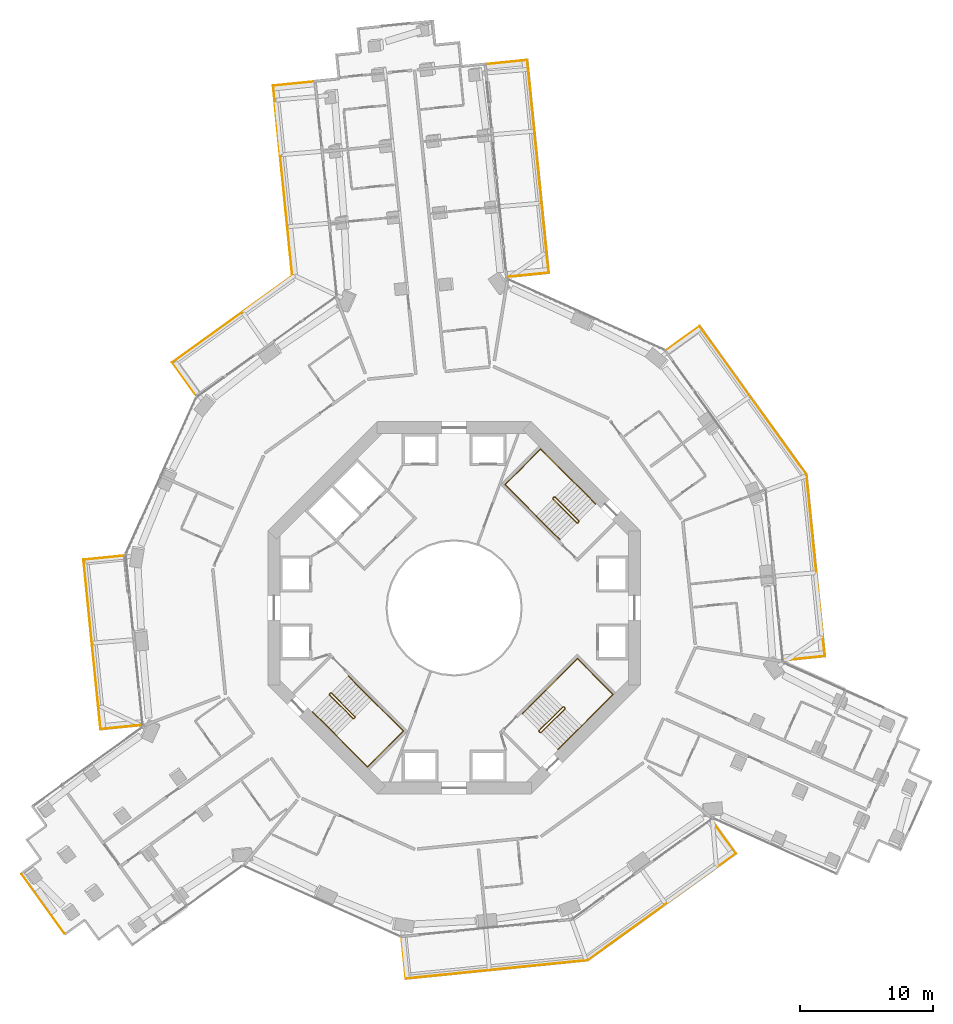
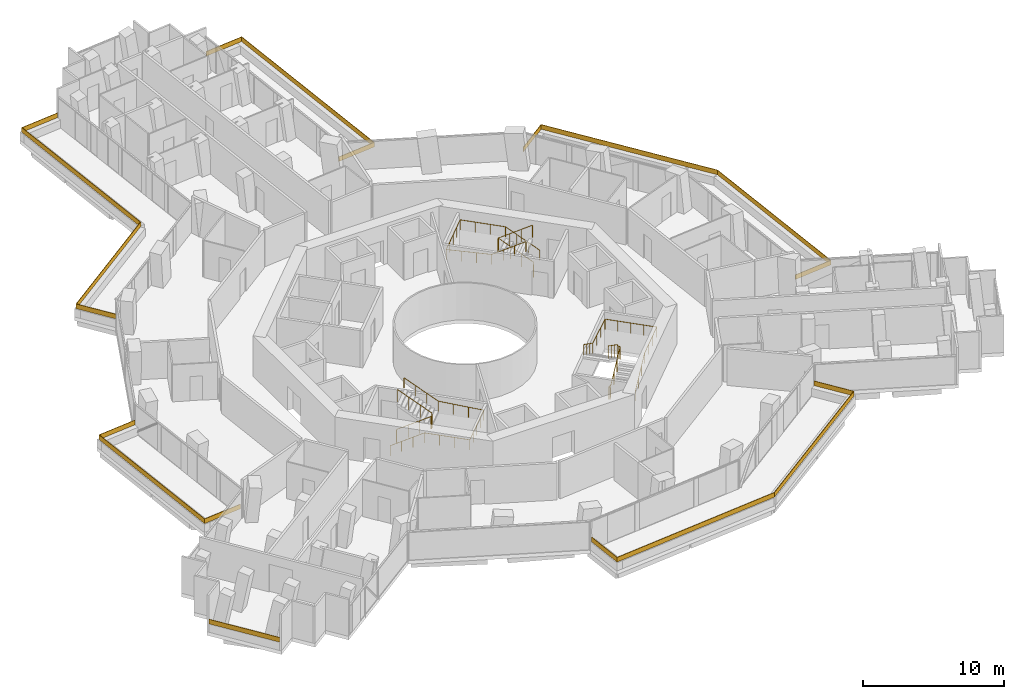
# One storey, part 26 of 26: 12 railings.
"""IFC4 building model written with IfcOpenShell, lengths in metres."""

from ifc_helpers import new_model, si_unit, direction, frame, origin, origin_2d, place, context, subcontext, project, spatial, polyline, rectangle, circle, outline, extrude, material, layer, layer_set, type_object, element, save


model = new_model("IFC4")

# Units and contexts
model_context = context("Model", 3, precision=1e-05, world=origin(), true_north=direction((0.0, 1.0)))
body_context = subcontext(model_context, "Body", "Model", "MODEL_VIEW")
ifc_project = project(units=[si_unit("LENGTHUNIT", "METRE"), si_unit("AREAUNIT", "SQUARE_METRE"), si_unit("VOLUMEUNIT", "CUBIC_METRE"), si_unit("PLANEANGLEUNIT", "RADIAN"), si_unit("MASSUNIT", "GRAM", prefix="KILO")], contexts=[model_context])

# Site, building, storey
site_placement = place(None, origin())
site = spatial("IfcSite", under=ifc_project, at=site_placement, CompositionType="ELEMENT")
building_placement = place(site_placement, origin())
building = spatial("IfcBuilding", under=site, at=building_placement, Name="Verdalira Terraces Hotel", CompositionType="ELEMENT")
storey_placement = place(building_placement, frame((0.0, 0.0, 56.5)))
storey = spatial("IfcBuildingStorey", under=building, at=storey_placement, Name="L12", CompositionType="ELEMENT", Elevation=56.5)

# Railings
ifc_material_1 = material(Name="Laminated glass", Category="glass")
ifc_layer = layer(ifc_material_1, 0.0400390625)
ifc_layer_set = layer_set([ifc_layer], Name="Balcony glass guard 400")
railing_type_1 = type_object("IfcRailingType", Name="Balcony glass guard 400", PredefinedType="GUARDRAIL", material=ifc_layer_set)
railing_1_placement = place(storey_placement, frame((0.0, 0.0, 0.699951)))
element("IfcRailing", 1, at=railing_1_placement, inside=storey, type_object=railing_type_1, Name="Balcony glass guard", PredefinedType="GUARDRAIL", context=body_context, shape_type="SweptSolid", body=[
    extrude(outline(polyline([(-13.587158, 39.243652), (-12.144775, 24.943604), (-21.153564, 18.455811), (-19.354248, 15.957275), (-19.386475, 15.934082), (-21.209229, 18.464844), (-12.186768, 24.962646), (-13.630859, 39.279541), (-10.527832, 39.592529), (-10.523682, 39.552734), (-13.587158, 39.243652)])), origin(), (0.0, 0.0, 1.0), 0.400146),
])
railing_2_placement = place(storey_placement, frame((0.0, 0.0, 0.699951)))
element("IfcRailing", 2, at=railing_2_placement, inside=storey, type_object=railing_type_1, Name="Balcony glass guard", PredefinedType="GUARDRAIL", context=body_context, shape_type="SweptSolid", body=[
    extrude(outline(polyline([(-27.840576, 3.604004), (-26.560059, -9.091553), (-23.496582, -8.782471), (-23.492432, -8.822266), (-26.595703, -9.135254), (-27.884521, 3.639893), (-24.78125, 3.952881), (-24.7771, 3.913086), (-27.840576, 3.604004)])), origin(), (0.0, 0.0, 1.0), 0.400146),
])
railing_3_placement = place(storey_placement, frame((0.0, 0.0, 0.699951)))
element("IfcRailing", 3, at=railing_3_placement, inside=storey, type_object=railing_type_1, Name="Balcony glass guard", PredefinedType="GUARDRAIL", context=body_context, shape_type="SweptSolid", body=[
    extrude(outline(polyline([(-3.604004, -27.840576), (10.031982, -26.465088), (21.153564, -18.455811), (19.354248, -15.957275), (19.386475, -15.934082), (21.209229, -18.464844), (10.046631, -26.503906), (-3.639893, -27.884521), (-3.952881, -24.78125), (-3.913086, -24.7771), (-3.604004, -27.840576)])), origin(), (0.0, 0.0, 1.0), 0.400146),
])
railing_4_placement = place(storey_placement, frame((0.0, 0.0, 0.699951)))
element("IfcRailing", 4, at=railing_4_placement, inside=storey, type_object=railing_type_1, Name="Balcony glass guard", PredefinedType="GUARDRAIL", context=body_context, shape_type="SweptSolid", body=[
    extrude(outline(polyline([(27.840576, -3.604004), (26.465088, 10.031982), (18.455811, 21.153564), (15.957275, 19.354248), (15.934082, 19.386475), (18.464844, 21.209229), (26.503906, 10.046631), (27.884521, -3.639893), (24.78125, -3.952881), (24.7771, -3.913086), (27.840576, -3.604004)])), origin(), (0.0, 0.0, 1.0), 0.400146),
])
railing_5_placement = place(storey_placement, frame((0.0, 0.0, 0.699951)))
element("IfcRailing", 5, at=railing_5_placement, inside=storey, type_object=railing_type_1, Name="Balcony glass guard", PredefinedType="GUARDRAIL", context=body_context, shape_type="SweptSolid", body=[
    extrude(outline(polyline([(7.084961, 25.216797), (5.476074, 41.166504), (2.412598, 40.857666), (2.408691, 40.897461), (5.511963, 41.210449), (7.128906, 25.180908), (4.025635, 24.86792), (4.021484, 24.907715), (7.084961, 25.216797)])), origin(), (0.0, 0.0, 1.0), 0.400146),
])
railing_6_placement = place(storey_placement, frame((-30.900146, -22.253174, 0.699951), z_axis=(0.0, 0.0, 1.0), x_axis=(0.584391303, -0.811471999, 0.0)))
element("IfcRailing", 6, at=railing_6_placement, inside=storey, type_object=railing_type_1, Name="Loggia glass guard", PredefinedType="GUARDRAIL", context=body_context, shape_type="SweptSolid", body=[
    extrude(rectangle(XDim=5.5, YDim=0.040039, at=origin_2d()), origin(), (0.0, 0.0, 1.0), 0.399902),
])
ifc_material_2 = material(Name="Stainless steel", Category="steel")
railing_type_2 = type_object("IfcRailingType", Name="Stair guard 1100", PredefinedType="GUARDRAIL", material=ifc_material_2)
railing_7_placement = place(storey_placement, frame((9.369141, 6.469971, 0.0)))
element("IfcRailing", 7, at=railing_7_placement, inside=storey, type_object=railing_type_2, Name="L12 ST1 stair guard 1", PredefinedType="GUARDRAIL", context=body_context, shape_type="SweptSolid", body=[
    extrude(circle(Radius=0.023926, at=origin_2d()), frame((0.0, 0.0, 1.076172), z_axis=(-0.70832698, -0.705884473, 0.0), x_axis=(0.705884473, -0.70832698, 0.0)), (0.0, 0.0, 1.0), 0.099854),
    extrude(circle(Radius=0.023926, at=origin_2d()), frame((-0.070801, -0.070557, 1.076172), z_axis=(0.300162975, 0.599290904, 0.742127078), x_axis=(-0.894118129, 0.447831187, 0.0)), (0.0, 0.0, 1.0), 0.23584),
    extrude(circle(Radius=0.023926, at=origin_2d()), frame((0.0, 0.070801, 1.250977), z_axis=(-0.599637504, 0.599637504, 0.52997144), x_axis=(-0.707106781, -0.707106781, 0.0)), (0.0, 0.0, 1.0), 2.97168),
    extrude(circle(Radius=0.023926, at=origin_2d()), frame((-1.781982, 1.852783, 2.826172), z_axis=(-1.0, 0.0, 0.0), x_axis=(0.0, -1.0, 0.0)), (0.0, 0.0, 1.0), 0.070557),
    extrude(circle(Radius=0.023926, at=origin_2d()), frame((-1.852539, 1.852783, 2.826172), z_axis=(-0.707106781, -0.707106781, 0.0), x_axis=(0.707106781, -0.707106781, 0.0)), (0.0, 0.0, 1.0), 0.100098),
    extrude(circle(Radius=0.023926, at=origin_2d()), frame((-1.92334, 1.781982, 2.826172), z_axis=(0.0, -0.374954687, 0.92704314), x_axis=(1.0, 0.0, 0.0)), (0.0, 0.0, 1.0), 0.188721),
    extrude(circle(Radius=0.023926, at=origin_2d()), frame((-1.92334, 1.711182, 3.000977), z_axis=(0.599667044, -0.599584886, 0.529997548), x_axis=(0.707058338, 0.707155221, 0.0)), (0.0, 0.0, 1.0), 2.97168),
    extrude(circle(Radius=0.020996, at=origin_2d()), origin(), (0.0, 0.0, 1.0), 1.052002),
    extrude(circle(Radius=0.020996, at=origin_2d()), frame((-0.070801, -0.070557, 0.0)), (0.0, 0.0, 1.0), 1.052002),
    extrude(circle(Radius=0.020996, at=origin_2d()), frame((0.0, 0.070801, 0.175049)), (0.0, 0.0, 1.0), 1.052002),
    extrude(circle(Radius=0.020996, at=origin_2d()), frame((-0.593994, 0.664795, 0.699951)), (0.0, 0.0, 1.0), 1.052002),
    extrude(circle(Radius=0.020996, at=origin_2d()), frame((-1.187988, 1.258789, 1.225098)), (0.0, 0.0, 1.0), 1.052002),
    extrude(circle(Radius=0.020996, at=origin_2d()), frame((-1.781982, 1.852783, 1.75)), (0.0, 0.0, 1.0), 1.052002),
    extrude(circle(Radius=0.020996, at=origin_2d()), frame((-1.852539, 1.852783, 1.75)), (0.0, 0.0, 1.0), 1.052002),
    extrude(circle(Radius=0.020996, at=origin_2d()), frame((-1.92334, 1.781982, 1.75)), (0.0, 0.0, 1.0), 1.052002),
    extrude(circle(Radius=0.020996, at=origin_2d()), frame((-1.92334, 1.711182, 1.925049)), (0.0, 0.0, 1.0), 1.052002),
    extrude(circle(Radius=0.020996, at=origin_2d()), frame((-1.329346, 1.117188, 2.449951)), (0.0, 0.0, 1.0), 1.052002),
    extrude(circle(Radius=0.020996, at=origin_2d()), frame((-0.735352, 0.523438, 2.975098)), (0.0, 0.0, 1.0), 1.052002),
    extrude(circle(Radius=0.020996, at=origin_2d()), frame((-0.141357, -0.070557, 3.5)), (0.0, 0.0, 1.0), 1.052002),
])
railing_8_placement = place(storey_placement, frame((-9.369141, -6.469971, 0.0)))
element("IfcRailing", 8, at=railing_8_placement, inside=storey, type_object=railing_type_2, Name="L12 ST2 stair guard 1", PredefinedType="GUARDRAIL", context=body_context, shape_type="SweptSolid", body=[
    extrude(circle(Radius=0.023926, at=origin_2d()), frame((0.0, 0.0, 1.076172), z_axis=(0.70832698, 0.705884473, 0.0), x_axis=(-0.705884473, 0.70832698, 0.0)), (0.0, 0.0, 1.0), 0.099854),
    extrude(circle(Radius=0.023926, at=origin_2d()), frame((0.070801, 0.070557, 1.076172), z_axis=(-0.300162975, -0.599290904, 0.742127078), x_axis=(0.894118129, -0.447831187, 0.0)), (0.0, 0.0, 1.0), 0.23584),
    extrude(circle(Radius=0.023926, at=origin_2d()), frame((0.0, -0.070801, 1.250977), z_axis=(0.599637504, -0.599637504, 0.52997144), x_axis=(0.707106781, 0.707106781, 0.0)), (0.0, 0.0, 1.0), 2.97168),
    extrude(circle(Radius=0.023926, at=origin_2d()), frame((1.781982, -1.852783, 2.826172), z_axis=(1.0, 0.0, 0.0), x_axis=(0.0, 1.0, 0.0)), (0.0, 0.0, 1.0), 0.070557),
    extrude(circle(Radius=0.023926, at=origin_2d()), frame((1.852539, -1.852783, 2.826172), z_axis=(0.707106781, 0.707106781, 0.0), x_axis=(-0.707106781, 0.707106781, 0.0)), (0.0, 0.0, 1.0), 0.100098),
    extrude(circle(Radius=0.023926, at=origin_2d()), frame((1.92334, -1.781982, 2.826172), z_axis=(0.0, 0.374954687, 0.92704314), x_axis=(-1.0, 0.0, 0.0)), (0.0, 0.0, 1.0), 0.188721),
    extrude(circle(Radius=0.023926, at=origin_2d()), frame((1.92334, -1.711182, 3.000977), z_axis=(-0.599667044, 0.599584886, 0.529997548), x_axis=(-0.707058338, -0.707155221, 0.0)), (0.0, 0.0, 1.0), 2.97168),
    extrude(circle(Radius=0.020996, at=origin_2d()), origin(), (0.0, 0.0, 1.0), 1.052002),
    extrude(circle(Radius=0.020996, at=origin_2d()), frame((0.070801, 0.070557, 0.0)), (0.0, 0.0, 1.0), 1.052002),
    extrude(circle(Radius=0.020996, at=origin_2d()), frame((0.0, -0.070801, 0.175049)), (0.0, 0.0, 1.0), 1.052002),
    extrude(circle(Radius=0.020996, at=origin_2d()), frame((0.593994, -0.664795, 0.699951)), (0.0, 0.0, 1.0), 1.052002),
    extrude(circle(Radius=0.020996, at=origin_2d()), frame((1.187988, -1.258789, 1.225098)), (0.0, 0.0, 1.0), 1.052002),
    extrude(circle(Radius=0.020996, at=origin_2d()), frame((1.781982, -1.852783, 1.75)), (0.0, 0.0, 1.0), 1.052002),
    extrude(circle(Radius=0.020996, at=origin_2d()), frame((1.852539, -1.852783, 1.75)), (0.0, 0.0, 1.0), 1.052002),
    extrude(circle(Radius=0.020996, at=origin_2d()), frame((1.92334, -1.781982, 1.75)), (0.0, 0.0, 1.0), 1.052002),
    extrude(circle(Radius=0.020996, at=origin_2d()), frame((1.92334, -1.711182, 1.925049)), (0.0, 0.0, 1.0), 1.052002),
    extrude(circle(Radius=0.020996, at=origin_2d()), frame((1.329346, -1.117188, 2.449951)), (0.0, 0.0, 1.0), 1.052002),
    extrude(circle(Radius=0.020996, at=origin_2d()), frame((0.735352, -0.523438, 2.975098)), (0.0, 0.0, 1.0), 1.052002),
    extrude(circle(Radius=0.020996, at=origin_2d()), frame((0.141357, 0.070557, 3.5)), (0.0, 0.0, 1.0), 1.052002),
])
railing_9_placement = place(storey_placement, frame((6.469971, -9.369141, 0.0)))
element("IfcRailing", 9, at=railing_9_placement, inside=storey, type_object=railing_type_2, Name="L12 ST3 stair guard 1", PredefinedType="GUARDRAIL", context=body_context, shape_type="SweptSolid", body=[
    extrude(circle(Radius=0.023926, at=origin_2d()), frame((0.0, 0.0, 1.076172), z_axis=(-0.705884473, 0.70832698, 0.0), x_axis=(-0.70832698, -0.705884473, 0.0)), (0.0, 0.0, 1.0), 0.099854),
    extrude(circle(Radius=0.023926, at=origin_2d()), frame((-0.070557, 0.070801, 1.076172), z_axis=(0.599290904, -0.300162975, 0.742127078), x_axis=(0.447831187, 0.894118129, 0.0)), (0.0, 0.0, 1.0), 0.23584),
    extrude(circle(Radius=0.023926, at=origin_2d()), frame((0.070801, 0.0, 1.250977), z_axis=(0.599637504, 0.599637504, 0.52997144), x_axis=(-0.707106781, 0.707106781, 0.0)), (0.0, 0.0, 1.0), 2.97168),
    extrude(circle(Radius=0.023926, at=origin_2d()), frame((1.852783, 1.781982, 2.826172), z_axis=(0.0, 1.0, 0.0), x_axis=(-1.0, 0.0, 0.0)), (0.0, 0.0, 1.0), 0.070557),
    extrude(circle(Radius=0.023926, at=origin_2d()), frame((1.852783, 1.852539, 2.826172), z_axis=(-0.707106781, 0.707106781, 0.0), x_axis=(-0.707106781, -0.707106781, 0.0)), (0.0, 0.0, 1.0), 0.100098),
    extrude(circle(Radius=0.023926, at=origin_2d()), frame((1.781982, 1.92334, 2.826172), z_axis=(-0.374954687, 0.0, 0.92704314), x_axis=(0.0, -1.0, 0.0)), (0.0, 0.0, 1.0), 0.188721),
    extrude(circle(Radius=0.023926, at=origin_2d()), frame((1.711182, 1.92334, 3.000977), z_axis=(-0.599584886, -0.599667044, 0.529997548), x_axis=(0.707155221, -0.707058338, 0.0)), (0.0, 0.0, 1.0), 2.97168),
    extrude(circle(Radius=0.020996, at=origin_2d()), origin(), (0.0, 0.0, 1.0), 1.052002),
    extrude(circle(Radius=0.020996, at=origin_2d()), frame((-0.070557, 0.070801, 0.0)), (0.0, 0.0, 1.0), 1.052002),
    extrude(circle(Radius=0.020996, at=origin_2d()), frame((0.070801, 0.0, 0.175049)), (0.0, 0.0, 1.0), 1.052002),
    extrude(circle(Radius=0.020996, at=origin_2d()), frame((0.664795, 0.593994, 0.699951)), (0.0, 0.0, 1.0), 1.052002),
    extrude(circle(Radius=0.020996, at=origin_2d()), frame((1.258789, 1.187988, 1.225098)), (0.0, 0.0, 1.0), 1.052002),
    extrude(circle(Radius=0.020996, at=origin_2d()), frame((1.852783, 1.781982, 1.75)), (0.0, 0.0, 1.0), 1.052002),
    extrude(circle(Radius=0.020996, at=origin_2d()), frame((1.852783, 1.852539, 1.75)), (0.0, 0.0, 1.0), 1.052002),
    extrude(circle(Radius=0.020996, at=origin_2d()), frame((1.781982, 1.92334, 1.75)), (0.0, 0.0, 1.0), 1.052002),
    extrude(circle(Radius=0.020996, at=origin_2d()), frame((1.711182, 1.92334, 1.925049)), (0.0, 0.0, 1.0), 1.052002),
    extrude(circle(Radius=0.020996, at=origin_2d()), frame((1.117188, 1.329346, 2.449951)), (0.0, 0.0, 1.0), 1.052002),
    extrude(circle(Radius=0.020996, at=origin_2d()), frame((0.523438, 0.735352, 2.975098)), (0.0, 0.0, 1.0), 1.052002),
    extrude(circle(Radius=0.020996, at=origin_2d()), frame((-0.070557, 0.141357, 3.5)), (0.0, 0.0, 1.0), 1.052002),
])
ifc_material_3 = material(Name="Stainless steel", Category="steel")
railing_type_3 = type_object("IfcRailingType", Name="Stair handrail 900", PredefinedType="HANDRAIL", material=ifc_material_3)
railing_10_placement = place(storey_placement, frame((10.641846, 7.813477, 0.175049)))
element("IfcRailing", 10, at=railing_10_placement, inside=storey, type_object=railing_type_3, Name="L12 ST1 stair handrail 1", PredefinedType="HANDRAIL", context=body_context, shape_type="SweptSolid", body=[
    extrude(circle(Radius=0.023926, at=origin_2d()), frame((0.0, 0.0, 0.875977), z_axis=(-0.599584886, 0.599667044, 0.529997548), x_axis=(-0.707155221, -0.707058338, 0.0)), (0.0, 0.0, 1.0), 2.97168),
    extrude(circle(Radius=0.023926, at=origin_2d()), frame((-1.781738, 1.781982, 2.450684), z_axis=(-0.707106781, 0.707106781, 0.0), x_axis=(-0.707106781, -0.707106781, 0.0)), (0.0, 0.0, 1.0), 3.330078),
    extrude(circle(Radius=0.023926, at=origin_2d()), frame((-4.136475, 4.136719, 2.450684), z_axis=(-0.707106781, -0.707106781, 0.0), x_axis=(0.707106781, -0.707106781, 0.0)), (0.0, 0.0, 1.0), 3.800049),
    extrude(circle(Radius=0.023926, at=origin_2d()), frame((-6.823486, 1.449707, 2.450684), z_axis=(0.706131881, -0.706131881, 0.052493163), x_axis=(0.707106781, 0.707106781, 0.0)), (0.0, 0.0, 1.0), 3.334717),
    extrude(circle(Radius=0.023926, at=origin_2d()), frame((-4.46875, -0.905029, 2.625977), z_axis=(0.599584886, -0.599667044, 0.529997548), x_axis=(0.707155221, 0.707058338, 0.0)), (0.0, 0.0, 1.0), 2.97168),
    extrude(circle(Radius=0.020996, at=origin_2d()), origin(), (0.0, 0.0, 1.0), 0.851807),
    extrude(circle(Radius=0.020996, at=origin_2d()), frame((-0.593994, 0.593994, 0.524902)), (0.0, 0.0, 1.0), 0.851807),
    extrude(circle(Radius=0.020996, at=origin_2d()), frame((-1.187744, 1.187988, 1.050049)), (0.0, 0.0, 1.0), 0.851807),
    extrude(circle(Radius=0.020996, at=origin_2d()), frame((-1.781738, 1.781982, 1.574951)), (0.0, 0.0, 1.0), 0.851807),
    extrude(circle(Radius=0.020996, at=origin_2d()), frame((-2.56665, 2.566895, 1.574951)), (0.0, 0.0, 1.0), 0.851807),
    extrude(circle(Radius=0.020996, at=origin_2d()), frame((-3.351562, 3.351807, 1.574951)), (0.0, 0.0, 1.0), 0.851807),
    extrude(circle(Radius=0.020996, at=origin_2d()), frame((-4.136475, 4.136719, 1.574951)), (0.0, 0.0, 1.0), 0.851807),
    extrude(circle(Radius=0.020996, at=origin_2d()), frame((-4.808105, 3.464844, 1.574951)), (0.0, 0.0, 1.0), 0.851807),
    extrude(circle(Radius=0.020996, at=origin_2d()), frame((-5.47998, 2.793213, 1.574951)), (0.0, 0.0, 1.0), 0.851807),
    extrude(circle(Radius=0.020996, at=origin_2d()), frame((-6.151855, 2.121582, 1.574951)), (0.0, 0.0, 1.0), 0.851807),
    extrude(circle(Radius=0.020996, at=origin_2d()), frame((-6.823486, 1.449707, 1.574951)), (0.0, 0.0, 1.0), 0.851807),
    extrude(circle(Radius=0.020996, at=origin_2d()), frame((-6.038574, 0.664795, 1.633301)), (0.0, 0.0, 1.0), 0.851807),
    extrude(circle(Radius=0.020996, at=origin_2d()), frame((-5.253662, -0.120117, 1.69165)), (0.0, 0.0, 1.0), 0.851807),
    extrude(circle(Radius=0.020996, at=origin_2d()), frame((-4.46875, -0.905029, 1.75)), (0.0, 0.0, 1.0), 0.851807),
    extrude(circle(Radius=0.020996, at=origin_2d()), frame((-3.874756, -1.499023, 2.274902)), (0.0, 0.0, 1.0), 0.851807),
    extrude(circle(Radius=0.020996, at=origin_2d()), frame((-3.281006, -2.093018, 2.800049)), (0.0, 0.0, 1.0), 0.851807),
    extrude(circle(Radius=0.020996, at=origin_2d()), frame((-2.687012, -2.687012, 3.324951)), (0.0, 0.0, 1.0), 0.851807),
])
railing_11_placement = place(storey_placement, frame((-10.641846, -7.813477, 0.175049)))
element("IfcRailing", 11, at=railing_11_placement, inside=storey, type_object=railing_type_3, Name="L12 ST2 stair handrail 1", PredefinedType="HANDRAIL", context=body_context, shape_type="SweptSolid", body=[
    extrude(circle(Radius=0.023926, at=origin_2d()), frame((0.0, 0.0, 0.875977), z_axis=(0.599584886, -0.599667044, 0.529997548), x_axis=(0.707155221, 0.707058338, 0.0)), (0.0, 0.0, 1.0), 2.97168),
    extrude(circle(Radius=0.023926, at=origin_2d()), frame((1.781738, -1.781982, 2.450684), z_axis=(0.707106781, -0.707106781, 0.0), x_axis=(0.707106781, 0.707106781, 0.0)), (0.0, 0.0, 1.0), 3.330078),
    extrude(circle(Radius=0.023926, at=origin_2d()), frame((4.136475, -4.136719, 2.450684), z_axis=(0.707106781, 0.707106781, 0.0), x_axis=(-0.707106781, 0.707106781, 0.0)), (0.0, 0.0, 1.0), 3.800049),
    extrude(circle(Radius=0.023926, at=origin_2d()), frame((6.823486, -1.449707, 2.450684), z_axis=(-0.706131881, 0.706131881, 0.052493163), x_axis=(-0.707106781, -0.707106781, 0.0)), (0.0, 0.0, 1.0), 3.334717),
    extrude(circle(Radius=0.023926, at=origin_2d()), frame((4.46875, 0.905029, 2.625977), z_axis=(-0.599584886, 0.599667044, 0.529997548), x_axis=(-0.707155221, -0.707058338, 0.0)), (0.0, 0.0, 1.0), 2.97168),
    extrude(circle(Radius=0.020996, at=origin_2d()), origin(), (0.0, 0.0, 1.0), 0.851807),
    extrude(circle(Radius=0.020996, at=origin_2d()), frame((0.593994, -0.593994, 0.524902)), (0.0, 0.0, 1.0), 0.851807),
    extrude(circle(Radius=0.020996, at=origin_2d()), frame((1.187744, -1.187988, 1.050049)), (0.0, 0.0, 1.0), 0.851807),
    extrude(circle(Radius=0.020996, at=origin_2d()), frame((1.781738, -1.781982, 1.574951)), (0.0, 0.0, 1.0), 0.851807),
    extrude(circle(Radius=0.020996, at=origin_2d()), frame((2.56665, -2.566895, 1.574951)), (0.0, 0.0, 1.0), 0.851807),
    extrude(circle(Radius=0.020996, at=origin_2d()), frame((3.351562, -3.351807, 1.574951)), (0.0, 0.0, 1.0), 0.851807),
    extrude(circle(Radius=0.020996, at=origin_2d()), frame((4.136475, -4.136719, 1.574951)), (0.0, 0.0, 1.0), 0.851807),
    extrude(circle(Radius=0.020996, at=origin_2d()), frame((4.808105, -3.464844, 1.574951)), (0.0, 0.0, 1.0), 0.851807),
    extrude(circle(Radius=0.020996, at=origin_2d()), frame((5.47998, -2.793213, 1.574951)), (0.0, 0.0, 1.0), 0.851807),
    extrude(circle(Radius=0.020996, at=origin_2d()), frame((6.151855, -2.121582, 1.574951)), (0.0, 0.0, 1.0), 0.851807),
    extrude(circle(Radius=0.020996, at=origin_2d()), frame((6.823486, -1.449707, 1.574951)), (0.0, 0.0, 1.0), 0.851807),
    extrude(circle(Radius=0.020996, at=origin_2d()), frame((6.038574, -0.664795, 1.633301)), (0.0, 0.0, 1.0), 0.851807),
    extrude(circle(Radius=0.020996, at=origin_2d()), frame((5.253662, 0.120117, 1.69165)), (0.0, 0.0, 1.0), 0.851807),
    extrude(circle(Radius=0.020996, at=origin_2d()), frame((4.46875, 0.905029, 1.75)), (0.0, 0.0, 1.0), 0.851807),
    extrude(circle(Radius=0.020996, at=origin_2d()), frame((3.874756, 1.499023, 2.274902)), (0.0, 0.0, 1.0), 0.851807),
    extrude(circle(Radius=0.020996, at=origin_2d()), frame((3.281006, 2.093018, 2.800049)), (0.0, 0.0, 1.0), 0.851807),
    extrude(circle(Radius=0.020996, at=origin_2d()), frame((2.687012, 2.687012, 3.324951)), (0.0, 0.0, 1.0), 0.851807),
])
railing_12_placement = place(storey_placement, frame((7.813477, -10.641846, 0.175049)))
element("IfcRailing", 12, at=railing_12_placement, inside=storey, type_object=railing_type_3, Name="L12 ST3 stair handrail 1", PredefinedType="HANDRAIL", context=body_context, shape_type="SweptSolid", body=[
    extrude(circle(Radius=0.023926, at=origin_2d()), frame((0.0, 0.0, 0.875977), z_axis=(0.599667044, 0.599584886, 0.529997548), x_axis=(-0.707058338, 0.707155221, 0.0)), (0.0, 0.0, 1.0), 2.97168),
    extrude(circle(Radius=0.023926, at=origin_2d()), frame((1.781982, 1.781738, 2.450684), z_axis=(0.707106781, 0.707106781, 0.0), x_axis=(-0.707106781, 0.707106781, 0.0)), (0.0, 0.0, 1.0), 3.330078),
    extrude(circle(Radius=0.023926, at=origin_2d()), frame((4.136719, 4.136475, 2.450684), z_axis=(-0.707106781, 0.707106781, 0.0), x_axis=(-0.707106781, -0.707106781, 0.0)), (0.0, 0.0, 1.0), 3.800049),
    extrude(circle(Radius=0.023926, at=origin_2d()), frame((1.449707, 6.823486, 2.450684), z_axis=(-0.706131881, -0.706131881, 0.052493163), x_axis=(0.707106781, -0.707106781, 0.0)), (0.0, 0.0, 1.0), 3.334717),
    extrude(circle(Radius=0.023926, at=origin_2d()), frame((-0.905029, 4.46875, 2.625977), z_axis=(-0.599667044, -0.599584886, 0.529997548), x_axis=(0.707058338, -0.707155221, 0.0)), (0.0, 0.0, 1.0), 2.97168),
    extrude(circle(Radius=0.020996, at=origin_2d()), origin(), (0.0, 0.0, 1.0), 0.851807),
    extrude(circle(Radius=0.020996, at=origin_2d()), frame((0.593994, 0.593994, 0.524902)), (0.0, 0.0, 1.0), 0.851807),
    extrude(circle(Radius=0.020996, at=origin_2d()), frame((1.187988, 1.187744, 1.050049)), (0.0, 0.0, 1.0), 0.851807),
    extrude(circle(Radius=0.020996, at=origin_2d()), frame((1.781982, 1.781738, 1.574951)), (0.0, 0.0, 1.0), 0.851807),
    extrude(circle(Radius=0.020996, at=origin_2d()), frame((2.566895, 2.56665, 1.574951)), (0.0, 0.0, 1.0), 0.851807),
    extrude(circle(Radius=0.020996, at=origin_2d()), frame((3.351807, 3.351562, 1.574951)), (0.0, 0.0, 1.0), 0.851807),
    extrude(circle(Radius=0.020996, at=origin_2d()), frame((4.136719, 4.136475, 1.574951)), (0.0, 0.0, 1.0), 0.851807),
    extrude(circle(Radius=0.020996, at=origin_2d()), frame((3.464844, 4.808105, 1.574951)), (0.0, 0.0, 1.0), 0.851807),
    extrude(circle(Radius=0.020996, at=origin_2d()), frame((2.793213, 5.47998, 1.574951)), (0.0, 0.0, 1.0), 0.851807),
    extrude(circle(Radius=0.020996, at=origin_2d()), frame((2.121582, 6.151855, 1.574951)), (0.0, 0.0, 1.0), 0.851807),
    extrude(circle(Radius=0.020996, at=origin_2d()), frame((1.449707, 6.823486, 1.574951)), (0.0, 0.0, 1.0), 0.851807),
    extrude(circle(Radius=0.020996, at=origin_2d()), frame((0.664795, 6.038574, 1.633301)), (0.0, 0.0, 1.0), 0.851807),
    extrude(circle(Radius=0.020996, at=origin_2d()), frame((-0.120117, 5.253662, 1.69165)), (0.0, 0.0, 1.0), 0.851807),
    extrude(circle(Radius=0.020996, at=origin_2d()), frame((-0.905029, 4.46875, 1.75)), (0.0, 0.0, 1.0), 0.851807),
    extrude(circle(Radius=0.020996, at=origin_2d()), frame((-1.499023, 3.874756, 2.274902)), (0.0, 0.0, 1.0), 0.851807),
    extrude(circle(Radius=0.020996, at=origin_2d()), frame((-2.093018, 3.281006, 2.800049)), (0.0, 0.0, 1.0), 0.851807),
    extrude(circle(Radius=0.020996, at=origin_2d()), frame((-2.687012, 2.687012, 3.324951)), (0.0, 0.0, 1.0), 0.851807),
])

save(model, "model.ifc")
